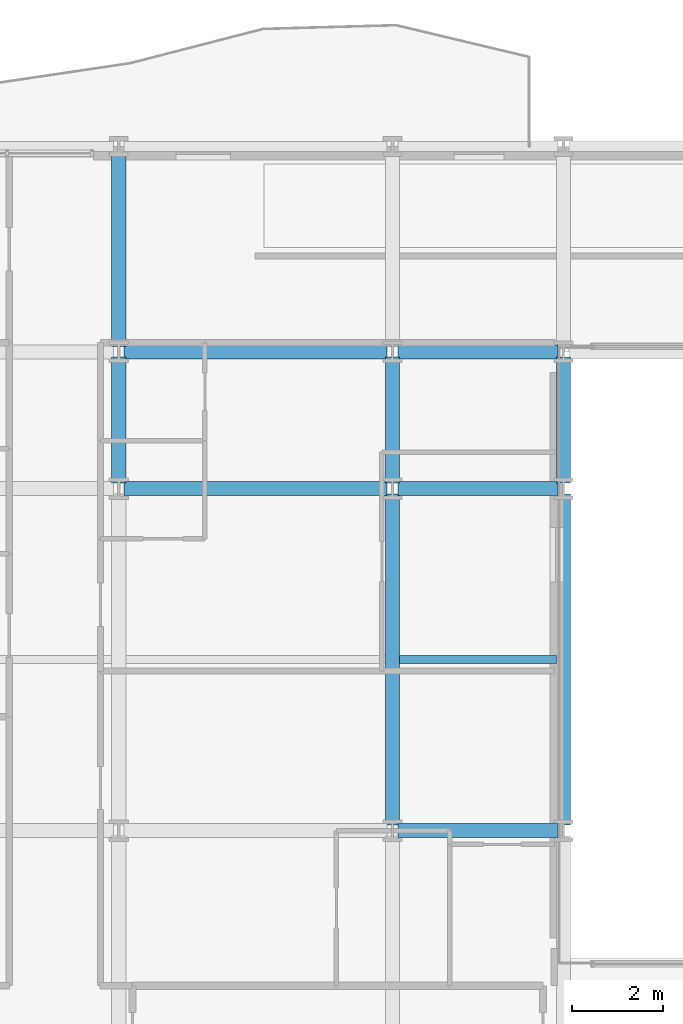
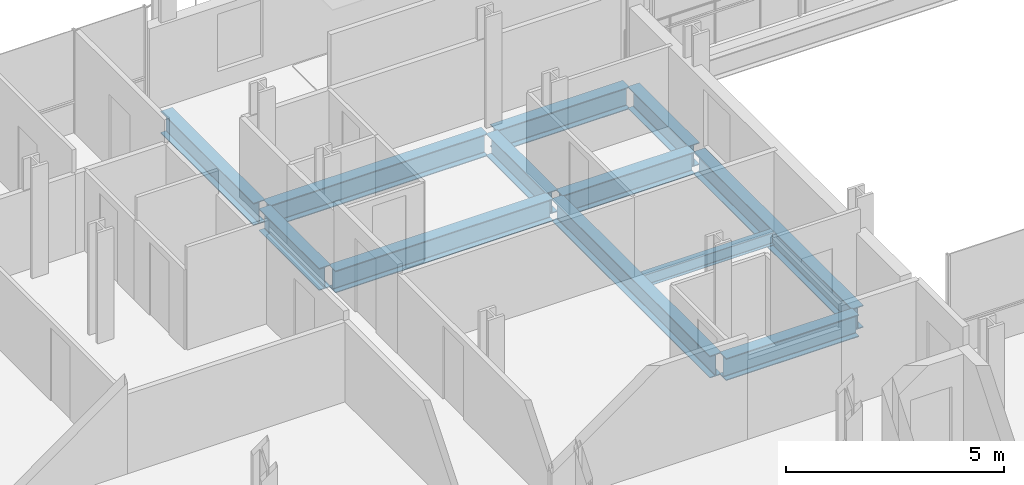
# One storey, part 8 of 41: 12 beams.
"""IFC4 building model written with IfcOpenShell, lengths in metres."""

from ifc_helpers import new_model, si_unit, direction, frame, origin, origin_2d, place, context, subcontext, project, spatial, i_section, extrude, material, material_profile, profile_set, type_object, element, save


model = new_model("IFC4")

# Units and contexts
model_context = context("Model", 3, precision=1e-05, world=origin(), true_north=direction((0.0, 1.0)))
body_context = subcontext(model_context, "Body", "Model", "MODEL_VIEW")
ifc_project = project(units=[si_unit("LENGTHUNIT", "METRE"), si_unit("AREAUNIT", "SQUARE_METRE"), si_unit("VOLUMEUNIT", "CUBIC_METRE"), si_unit("PLANEANGLEUNIT", "RADIAN"), si_unit("MASSUNIT", "GRAM", prefix="KILO")], contexts=[model_context])

# Site, building, storey
site_placement = place(None, origin())
site = spatial("IfcSite", under=ifc_project, at=site_placement, CompositionType="ELEMENT")
building_placement = place(site_placement, origin())
building = spatial("IfcBuilding", under=site, at=building_placement, Name="Brevholm Reach", CompositionType="ELEMENT")
storey_placement = place(building_placement, frame((0.0, 0.0, 55.89990234375)))
storey = spatial("IfcBuildingStorey", under=building, at=storey_placement, Name="L15", CompositionType="ELEMENT", Elevation=55.89990234375)

# Beams
ifc_material_1 = material(Name="Structural Steel S355J2", Category="steel")
ifc_material_profile_1 = material_profile(ifc_material_1, i_section(OverallWidth=0.17138671875, OverallDepth=0.35498046875, WebThickness=0.00732421875, FlangeThickness=0.011474609375, FilletRadius=0.01025390625, at=origin_2d()), Name="UKB 356x171x51")
ifc_profile_set_1 = profile_set([ifc_material_profile_1], Name="Structural Steel S355J2")
beam_type_1 = type_object("IfcBeamType", Name="BM-B356", PredefinedType="BEAM", material=ifc_profile_set_1)
beam_1_placement = place(storey_placement, frame((18.153564453125, 19.75, -0.407470703125), z_axis=(1.0, 0.0, 0.0), x_axis=(0.0, 1.0, 0.0)))
element("IfcBeam", 1, at=beam_1_placement, inside=storey, type_object=beam_type_1, Name="L15 Composite Secondary Floor Beam", PredefinedType="BEAM", context=body_context, shape_type="SweptSolid", body=[
    extrude(i_section(OverallWidth=0.17138671875, OverallDepth=0.35498046875, WebThickness=0.00732421875, FlangeThickness=0.011474609375, FilletRadius=0.01025390625, at=origin_2d()), origin(), (0.0, 0.0, 1.0), 3.44287109375),
])
ifc_material_2 = material(Name="Structural Steel S355J2", Category="steel")
ifc_material_profile_2 = material_profile(ifc_material_2, i_section(OverallWidth=0.30712890625, OverallDepth=0.6201171875, WebThickness=0.01416015625, FlangeThickness=0.023681640625, FilletRadius=0.0166015625, at=origin_2d()), Name="UKB 610x305x179")
ifc_profile_set_2 = profile_set([ifc_material_profile_2], Name="Structural Steel S355J2")
beam_type_2 = type_object("IfcBeamType", Name="BM-UKB610H", PredefinedType="USERDEFINED", material=ifc_profile_set_2)
beam_2_placement = place(storey_placement, frame((18.1201171875, 16.0, -0.5400390625), z_axis=(1.0, 0.0, 0.0), x_axis=(0.0, 1.0, 0.0)))
element("IfcBeam", 2, at=beam_2_placement, inside=storey, type_object=beam_type_2, Name="L15 G-06 Framing Beam", ObjectType="GIRDER", PredefinedType="USERDEFINED", context=body_context, shape_type="SweptSolid", body=[
    extrude(i_section(OverallWidth=0.30712890625, OverallDepth=0.6201171875, WebThickness=0.01416015625, FlangeThickness=0.023681640625, FilletRadius=0.0166015625, at=origin_2d()), origin(), (0.0, 0.0, 1.0), 3.509765625),
])
beam_3_placement = place(storey_placement, frame((12.1201171875, 23.5, -0.5400390625), z_axis=(1.0, 0.0, 0.0), x_axis=(0.0, 1.0, 0.0)))
element("IfcBeam", 3, at=beam_3_placement, inside=storey, type_object=beam_type_2, Name="L15 G-06 Framing Beam", ObjectType="GIRDER", PredefinedType="USERDEFINED", context=body_context, shape_type="SweptSolid", body=[
    extrude(i_section(OverallWidth=0.30712890625, OverallDepth=0.6201171875, WebThickness=0.01416015625, FlangeThickness=0.023681640625, FilletRadius=0.0166015625, at=origin_2d()), origin(), (0.0, 0.0, 1.0), 5.759765625),
])
beam_4_placement = place(storey_placement, frame((18.1201171875, 23.5, -0.5400390625), z_axis=(1.0, 0.0, 0.0), x_axis=(0.0, 1.0, 0.0)))
element("IfcBeam", 4, at=beam_4_placement, inside=storey, type_object=beam_type_2, Name="L15 G-06 Framing Beam", ObjectType="GIRDER", PredefinedType="USERDEFINED", context=body_context, shape_type="SweptSolid", body=[
    extrude(i_section(OverallWidth=0.30712890625, OverallDepth=0.6201171875, WebThickness=0.01416015625, FlangeThickness=0.023681640625, FilletRadius=0.0166015625, at=origin_2d()), origin(), (0.0, 0.0, 1.0), 3.509765625),
])
beam_5_placement = place(storey_placement, frame((12.1201171875, 26.5, -0.5400390625), z_axis=(1.0, 0.0, 0.0), x_axis=(0.0, 1.0, 0.0)))
element("IfcBeam", 5, at=beam_5_placement, inside=storey, type_object=beam_type_2, Name="L15 G-06 Framing Beam", ObjectType="GIRDER", PredefinedType="USERDEFINED", context=body_context, shape_type="SweptSolid", body=[
    extrude(i_section(OverallWidth=0.30712890625, OverallDepth=0.6201171875, WebThickness=0.01416015625, FlangeThickness=0.023681640625, FilletRadius=0.0166015625, at=origin_2d()), origin(), (0.0, 0.0, 1.0), 5.759765625),
])
beam_6_placement = place(storey_placement, frame((18.1201171875, 26.5, -0.5400390625), z_axis=(1.0, 0.0, 0.0), x_axis=(0.0, 1.0, 0.0)))
element("IfcBeam", 6, at=beam_6_placement, inside=storey, type_object=beam_type_2, Name="L15 G-06 Framing Beam", ObjectType="GIRDER", PredefinedType="USERDEFINED", context=body_context, shape_type="SweptSolid", body=[
    extrude(i_section(OverallWidth=0.30712890625, OverallDepth=0.6201171875, WebThickness=0.01416015625, FlangeThickness=0.023681640625, FilletRadius=0.0166015625, at=origin_2d()), origin(), (0.0, 0.0, 1.0), 3.509765625),
])
beam_7_placement = place(storey_placement, frame((12.0, 23.6201171875, -0.5400390625), z_axis=(0.0, 1.0, 0.0), x_axis=(-1.0, 0.0, 0.0)))
element("IfcBeam", 7, at=beam_7_placement, inside=storey, type_object=beam_type_2, Name="L15 G-06 Framing Beam", ObjectType="GIRDER", PredefinedType="USERDEFINED", context=body_context, shape_type="SweptSolid", body=[
    extrude(i_section(OverallWidth=0.30712890625, OverallDepth=0.6201171875, WebThickness=0.01416015625, FlangeThickness=0.023681640625, FilletRadius=0.0166015625, at=origin_2d()), origin(), (0.0, 0.0, 1.0), 2.759765625),
])
beam_8_placement = place(storey_placement, frame((12.0, 26.6201171875, -0.5400390625), z_axis=(0.0, 1.0, 0.0), x_axis=(-1.0, 0.0, 0.0)))
element("IfcBeam", 8, at=beam_8_placement, inside=storey, type_object=beam_type_2, Name="L15 G-06 Framing Beam", ObjectType="GIRDER", PredefinedType="USERDEFINED", context=body_context, shape_type="SweptSolid", body=[
    extrude(i_section(OverallWidth=0.30712890625, OverallDepth=0.6201171875, WebThickness=0.01416015625, FlangeThickness=0.023681640625, FilletRadius=0.0166015625, at=origin_2d()), origin(), (0.0, 0.0, 1.0), 4.259765625),
])
beam_9_placement = place(storey_placement, frame((18.0, 16.1201171875, -0.5400390625), z_axis=(0.0, 1.0, 0.0), x_axis=(-1.0, 0.0, 0.0)))
element("IfcBeam", 9, at=beam_9_placement, inside=storey, type_object=beam_type_2, Name="L15 G-06 Framing Beam", ObjectType="GIRDER", PredefinedType="USERDEFINED", context=body_context, shape_type="SweptSolid", body=[
    extrude(i_section(OverallWidth=0.30712890625, OverallDepth=0.6201171875, WebThickness=0.01416015625, FlangeThickness=0.023681640625, FilletRadius=0.0166015625, at=origin_2d()), origin(), (0.0, 0.0, 1.0), 7.259765625),
])
beam_10_placement = place(storey_placement, frame((18.0, 23.6201171875, -0.5400390625), z_axis=(0.0, 1.0, 0.0), x_axis=(-1.0, 0.0, 0.0)))
element("IfcBeam", 10, at=beam_10_placement, inside=storey, type_object=beam_type_2, Name="L15 G-06 Framing Beam", ObjectType="GIRDER", PredefinedType="USERDEFINED", context=body_context, shape_type="SweptSolid", body=[
    extrude(i_section(OverallWidth=0.30712890625, OverallDepth=0.6201171875, WebThickness=0.01416015625, FlangeThickness=0.023681640625, FilletRadius=0.0166015625, at=origin_2d()), origin(), (0.0, 0.0, 1.0), 2.759765625),
])
beam_11_placement = place(storey_placement, frame((21.75, 16.1201171875, -0.5400390625), z_axis=(0.0, 1.0, 0.0), x_axis=(-1.0, 0.0, 0.0)))
element("IfcBeam", 11, at=beam_11_placement, inside=storey, type_object=beam_type_2, Name="L15 G-06 Framing Beam", ObjectType="GIRDER", PredefinedType="USERDEFINED", context=body_context, shape_type="SweptSolid", body=[
    extrude(i_section(OverallWidth=0.30712890625, OverallDepth=0.6201171875, WebThickness=0.01416015625, FlangeThickness=0.023681640625, FilletRadius=0.0166015625, at=origin_2d()), origin(), (0.0, 0.0, 1.0), 7.259765625),
])
beam_12_placement = place(storey_placement, frame((21.75, 23.6201171875, -0.5400390625), z_axis=(0.0, 1.0, 0.0), x_axis=(-1.0, 0.0, 0.0)))
element("IfcBeam", 12, at=beam_12_placement, inside=storey, type_object=beam_type_2, Name="L15 G-06 Framing Beam", ObjectType="GIRDER", PredefinedType="USERDEFINED", context=body_context, shape_type="SweptSolid", body=[
    extrude(i_section(OverallWidth=0.30712890625, OverallDepth=0.6201171875, WebThickness=0.01416015625, FlangeThickness=0.023681640625, FilletRadius=0.0166015625, at=origin_2d()), origin(), (0.0, 0.0, 1.0), 2.759765625),
])

save(model, "model.ifc")
